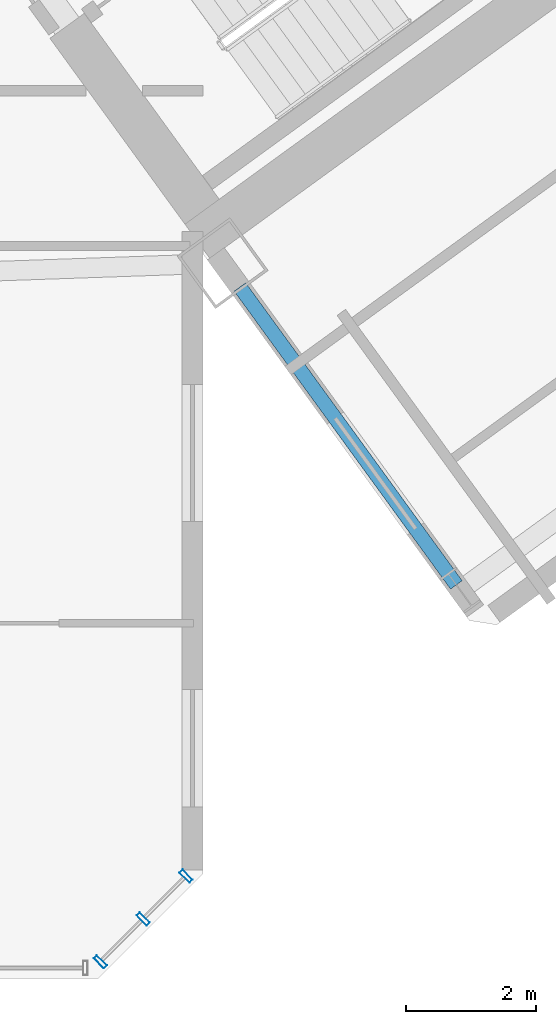
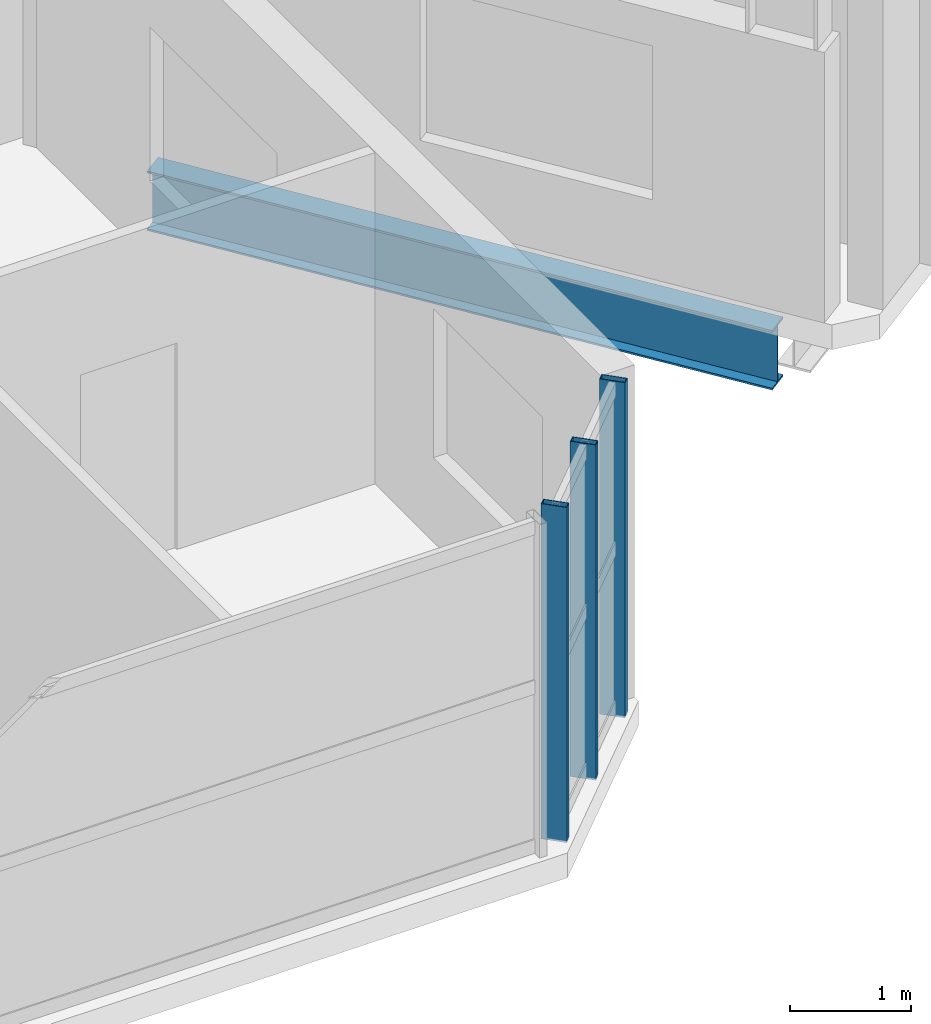
# One storey, part 9 of 24: 3 members, 1 beam, 1 element without a shape of its own.
"""IFC4 building model written with IfcOpenShell, lengths in metres."""

from ifc_helpers import new_model, si_unit, direction, frame, origin, origin_2d, place, context, subcontext, project, spatial, hollow_rectangle, i_section, extrude, source, transform, mapped, material, material_profile, profile_set, type_object, element, aggregate, save


model = new_model("IFC4")

# Units and contexts
model_context = context("Model", 3, precision=1e-05, world=origin(), true_north=direction((0.0, 1.0)))
body_context = subcontext(model_context, "Body", "Model", "MODEL_VIEW")
ifc_project = project(units=[si_unit("LENGTHUNIT", "METRE"), si_unit("AREAUNIT", "SQUARE_METRE"), si_unit("VOLUMEUNIT", "CUBIC_METRE"), si_unit("PLANEANGLEUNIT", "RADIAN"), si_unit("MASSUNIT", "GRAM", prefix="KILO")], contexts=[model_context])

# Site, building, storey
site_placement = place(None, origin())
site = spatial("IfcSite", under=ifc_project, at=site_placement, CompositionType="ELEMENT")
building_placement = place(site_placement, origin())
building = spatial("IfcBuilding", under=site, at=building_placement, Name="Tlacorven Tower", CompositionType="ELEMENT")
storey_placement = place(building_placement, frame((0.0, 0.0, 45.60009765625)))
storey = spatial("IfcBuildingStorey", under=building, at=storey_placement, Name="L11", CompositionType="ELEMENT", Elevation=45.60009765625)

# Beam
ifc_material_1 = material(Name="Steel S355J2", Category="steel")
ifc_material_profile_1 = material_profile(ifc_material_1, i_section(OverallWidth=0.219970703125, OverallDepth=0.60009765625, WebThickness=0.011962890625, FlangeThickness=0.01904296875, at=origin_2d()), Name="IPE 600")
ifc_profile_set_1 = profile_set([ifc_material_profile_1], Name="Steel S355J2")
beam_type = type_object("IfcBeamType", Name="BM-TWR-600", PredefinedType="BEAM", material=ifc_profile_set_1)
shared_shape_1 = source(origin(), body_context, "Body", "SweptSolid", [
    extrude(i_section(OverallWidth=0.219970703125, OverallDepth=0.60009765625, WebThickness=0.011962890625, FlangeThickness=0.01904296875, at=origin_2d()), origin(), (0.0, 0.0, 1.0), 5.650146484375),
])
beam_placement = place(storey_placement, frame((56.291015625, 7.83837890625, -0.550048828125), z_axis=(-0.587783675561, 0.809018139935, 0.0), x_axis=(-0.809018139935, -0.587783675561, 0.0)))
element("IfcBeam", 1, at=beam_placement, inside=storey, type_object=beam_type, Name="L11 beam BM-L11-ET1-1", PredefinedType="BEAM", context=body_context, shape_type="MappedRepresentation", body=[
    mapped(shared_shape_1, transform((0.0, 0.0, 0.0), scale=1.0)),
])

# Curtain wall, members
ifc_material_2 = material(Name="Dark solar low-E double glazing in aluminium frame", Category="aluminium")
curtain_wall_type = type_object("IfcCurtainWallType", Name="CW-TWR-LOW", PredefinedType="USERDEFINED", material=ifc_material_2)
curtain_wall_placement = place(storey_placement, origin())
curtain_wall = element("IfcCurtainWall", 2, at=curtain_wall_placement, inside=storey, type_object=curtain_wall_type, Name="L11 CW-TWR-LOW Curtain Wall 57", ObjectType="UNITISED CURTAIN WALL", PredefinedType="USERDEFINED")
ifc_material_3 = material(Name="Aluminium 6063-T6 anodised", Category="aluminium")
ifc_material_profile_2 = material_profile(ifc_material_3, hollow_rectangle(XDim=0.070068359375, YDim=0.219970703125, WallThickness=0.0048828125, at=origin_2d()), Name="ALU MULLION 70X220")
ifc_profile_set_2 = profile_set([ifc_material_profile_2], Name="Aluminium 6063-T6 anodised")
member_type = type_object("IfcMemberType", Name="CWM-01", PredefinedType="MULLION", material=ifc_profile_set_2)
shared_shape_2 = source(origin(), body_context, "Body", "SweptSolid", [
    extrude(hollow_rectangle(XDim=0.070068359375, YDim=0.219970703125, WallThickness=0.0048828125, at=origin_2d()), origin(), (0.0, 0.0, 1.0), 3.3798828125),
])
member_1_placement = place(storey_placement, frame((52.14453125, 3.370849609375, -0.02001953125), z_axis=(0.0, 0.0, 1.0), x_axis=(-0.707106781187, -0.707106781187, 0.0)))
member_1 = element("IfcMember", 3, at=member_1_placement, type_object=member_type, Name="CW-L11-057 Mullion 1", PredefinedType="MULLION", context=body_context, shape_type="MappedRepresentation", body=[
    mapped(shared_shape_2, transform((0.0, 0.0, 0.0), scale=1.0)),
])
member_2_placement = place(storey_placement, frame((51.48681640625, 2.713134765625, -0.02001953125), z_axis=(0.0, 0.0, 1.0), x_axis=(-0.707106781187, -0.707106781187, 0.0)))
member_2 = element("IfcMember", 4, at=member_2_placement, type_object=member_type, Name="CW-L11-057 Mullion 2", PredefinedType="MULLION", context=body_context, shape_type="MappedRepresentation", body=[
    mapped(shared_shape_2, transform((0.0, 0.0, 0.0), scale=1.0)),
])
member_3_placement = place(storey_placement, frame((50.8291015625, 2.055419921875, -0.02001953125), z_axis=(0.0, 0.0, 1.0), x_axis=(-0.707106781187, -0.707106781187, 0.0)))
member_3 = element("IfcMember", 5, at=member_3_placement, type_object=member_type, Name="CW-L11-057 Mullion 3", PredefinedType="MULLION", context=body_context, shape_type="MappedRepresentation", body=[
    mapped(shared_shape_2, transform((0.0, 0.0, 0.0), scale=1.0)),
])
aggregate(curtain_wall, [member_1, member_2, member_3])

save(model, "model.ifc")
